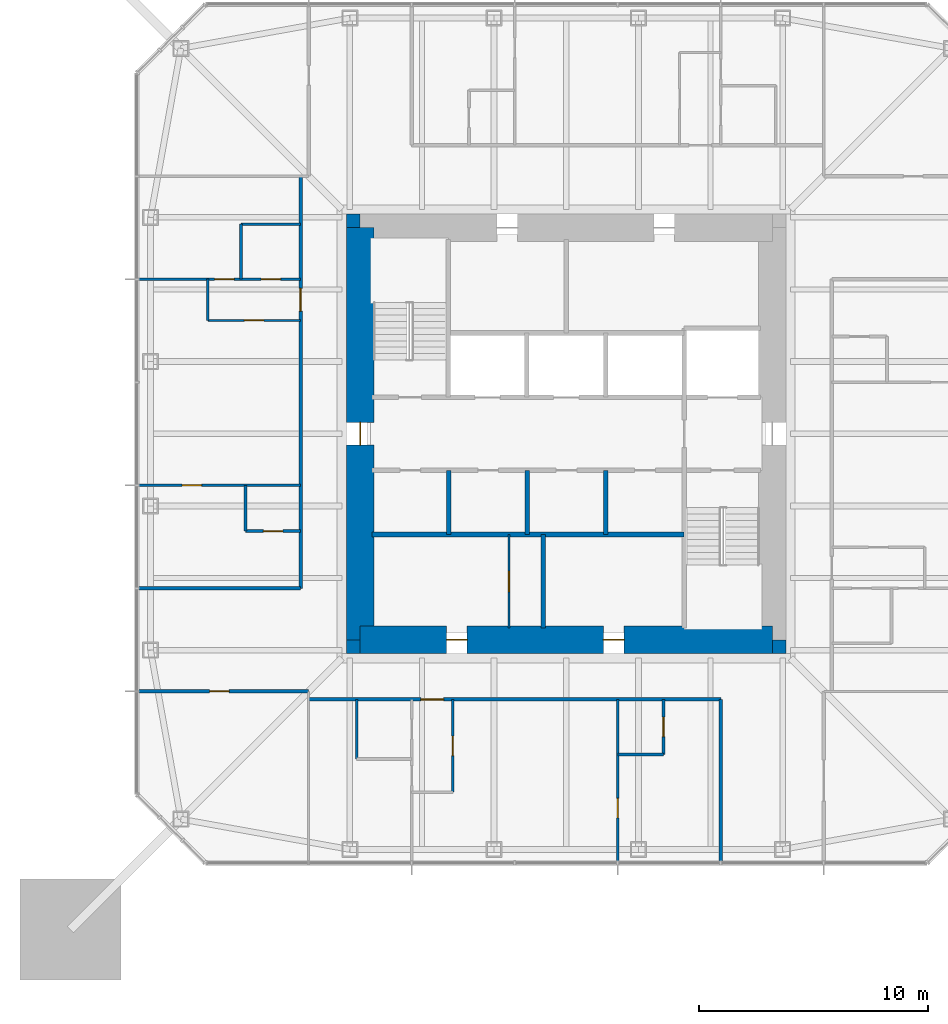
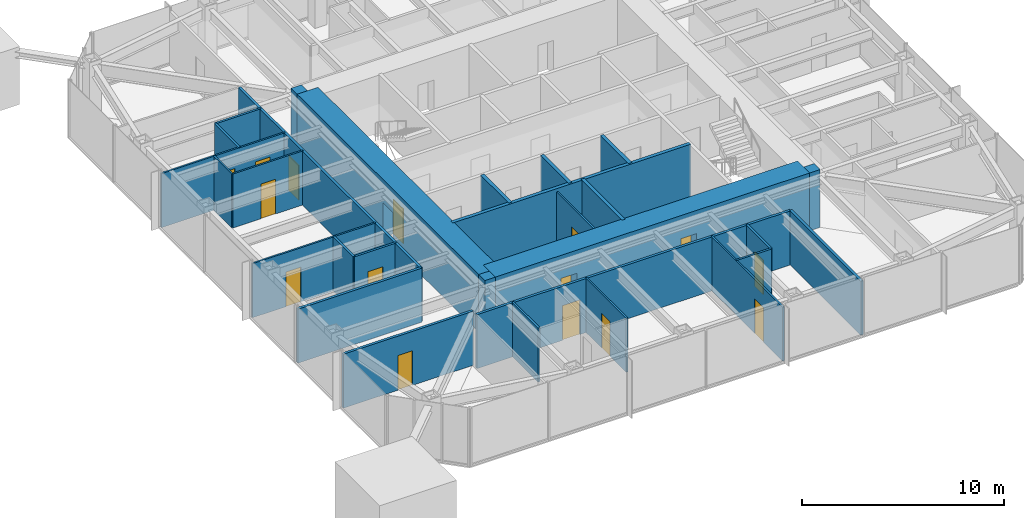
# One storey, part 6 of 11: 29 walls, 15 doors, 15 openings.
"""IFC4 building model written with IfcOpenShell, lengths in metres."""

from ifc_helpers import new_model, si_unit, direction, frame, frame_2d, origin, place, context, subcontext, project, spatial, rectangle, extrude, material, layer, layer_set, type_object, element, fill, save


model = new_model("IFC4")

# Units and contexts
model_context = context("Model", 3, precision=1e-05, world=origin(), true_north=direction((0.0, 1.0)))
body_context = subcontext(model_context, "Body", "Model", "MODEL_VIEW")
ifc_project = project(units=[si_unit("LENGTHUNIT", "METRE"), si_unit("AREAUNIT", "SQUARE_METRE"), si_unit("VOLUMEUNIT", "CUBIC_METRE"), si_unit("PLANEANGLEUNIT", "RADIAN"), si_unit("MASSUNIT", "GRAM", prefix="KILO")], contexts=[model_context])

# Site, building, storey
site_placement = place(None, origin())
site = spatial("IfcSite", under=ifc_project, at=site_placement, CompositionType="ELEMENT")
building_placement = place(site_placement, origin())
building = spatial("IfcBuilding", under=site, at=building_placement, Name="Iwan Alto Co-Living Towers", CompositionType="ELEMENT")
storey_placement = place(building_placement, frame((0.0, 0.0, 177.5)))
storey = spatial("IfcBuildingStorey", under=building, at=storey_placement, Name="L48", CompositionType="ELEMENT", Elevation=177.5)

# Wall, opening, door
ifc_material_1 = material(Name="Gypsum board")
ifc_layer_1 = layer(ifc_material_1, 0.02490234375, Name="Board", Category="Finish")
ifc_material_2 = material(Name="Steel ASTM A1003 ST33H cold-formed studs", Category="steel")
ifc_layer_2 = layer(ifc_material_2, 0.10009765625, Name="Studs", Category="Framing")
ifc_layer_3 = layer(ifc_material_1, 0.02490234375, Name="Board", Category="Finish")
ifc_layer_set_1 = layer_set([ifc_layer_1, ifc_layer_2, ifc_layer_3], Name="CORRIDOR WALL 150")
wall_type_1 = type_object("IfcWallType", Name="CORRIDOR WALL 150", PredefinedType="PARTITIONING", material=ifc_layer_set_1)
wall_1_placement = place(storey_placement, frame((-11.25, -11.60009765625, 0.0), z_axis=(0.0, 0.0, 1.0), x_axis=(1.0, 0.0, 0.0)))
wall_1 = element("IfcWall", 1, at=wall_1_placement, inside=storey, type_object=wall_type_1, Name="Partition L48", PredefinedType="PARTITIONING", context=body_context, shape_type="SweptSolid", body=[
    extrude(rectangle(XDim=18.0, YDim=0.14990234375, at=frame_2d((9.0, 0.0))), origin(), (0.0, 0.0, 1.0), 3.27001953125),
])
opening_1_placement = place(wall_1_placement, frame((4.89990234375, 0.0, 0.0)))
opening_1 = element("IfcOpeningElement", 2, at=opening_1_placement, cuts=wall_1, Name="Opening D3", PredefinedType="OPENING", context=body_context, shape_type="SweptSolid", body=[
    extrude(rectangle(XDim=1.0, YDim=2.10009765625, at=frame_2d((0.5, 1.050048828125))), frame((0.0, 0.0849609375, 0.0), z_axis=(0.0, -1.0, 0.0), x_axis=(1.0, 0.0, 0.0)), (0.0, 0.0, 1.0), 0.169921875),
])
ifc_material_3 = material(Name="Steel frame with timber leaf", Category="steel")
door_type_1 = type_object("IfcDoorType", Name="FLAT ENTRANCE DOOR FD30S 1000X2100", OperationType="SINGLE_SWING_LEFT", PredefinedType="DOOR", material=ifc_material_3)
door_1_placement = place(opening_1_placement, frame((1.0, 0.0, 0.0), z_axis=(0.0, 0.0, 1.0), x_axis=(-1.0, 0.0, 0.0)))
door_1 = element("IfcDoor", 3, at=door_1_placement, inside=storey, type_object=door_type_1, Name="Apartment foyer door L48", OperationType="SINGLE_SWING_RIGHT", OverallHeight=2.10009765625, OverallWidth=1.0, PredefinedType="DOOR", context=body_context, shape_type="SweptSolid", body=[
    extrude(rectangle(XDim=1.0, YDim=2.10009765625, at=frame_2d((0.5, 1.050048828125))), frame((0.0, 0.02490234375, 0.0), z_axis=(0.0, -1.0, 0.0), x_axis=(1.0, 0.0, 0.0)), (0.0, 0.0, 1.0), 0.050048828125),
])
fill(opening_1, door_1)

wall_2_placement = place(storey_placement, frame((-18.68994140625, -11.25, 0.0), z_axis=(0.0, 0.0, 1.0), x_axis=(1.0, 0.0, 0.0)))
wall_2 = element("IfcWall", 4, at=wall_2_placement, inside=storey, type_object=wall_type_1, Name="Partition L48", PredefinedType="PARTITIONING", context=body_context, shape_type="SweptSolid", body=[
    extrude(rectangle(XDim=7.43994140625, YDim=0.14990234375, at=frame_2d((3.719970703125, 0.0))), origin(), (0.0, 0.0, 1.0), 3.27001953125),
])
opening_2_placement = place(wall_2_placement, frame((3.1201171875, 0.0, 0.0)))
opening_2 = element("IfcOpeningElement", 5, at=opening_2_placement, cuts=wall_2, Name="Opening D2", PredefinedType="OPENING", context=body_context, shape_type="SweptSolid", body=[
    extrude(rectangle(XDim=0.85009765625, YDim=2.10009765625, at=frame_2d((0.425048828125, 1.050048828125))), frame((0.0, 0.0849609375, 0.0), z_axis=(0.0, -1.0, 0.0), x_axis=(1.0, 0.0, 0.0)), (0.0, 0.0, 1.0), 0.169921875),
])
ifc_material_4 = material(Name="Timber leaf in steel frame", Category="steel")
door_type_2 = type_object("IfcDoorType", Name="ROOM DOOR 850X2100", OperationType="SINGLE_SWING_LEFT", PredefinedType="DOOR", material=ifc_material_4)
door_2_placement = place(opening_2_placement, frame((0.85009765625, 0.0, 0.0), z_axis=(0.0, 0.0, 1.0), x_axis=(-1.0, 0.0, 0.0)))
door_2 = element("IfcDoor", 6, at=door_2_placement, inside=storey, type_object=door_type_2, Name="Shared kitchen and lounge door L48", OperationType="SINGLE_SWING_RIGHT", OverallHeight=2.10009765625, OverallWidth=0.85009765625, PredefinedType="DOOR", context=body_context, shape_type="SweptSolid", body=[
    extrude(rectangle(XDim=0.85009765625, YDim=2.10009765625, at=frame_2d((0.425048828125, 1.050048828125))), frame((0.0, 0.02490234375, 0.0), z_axis=(0.0, -1.0, 0.0), x_axis=(1.0, 0.0, 0.0)), (0.0, 0.0, 1.0), 0.050048828125),
])
fill(opening_2, door_2)

# Walls
for number, where, z_axis, x_axis, name in (
    (7, (-18.68994140625, -6.75, 0.0), (0.0, 0.0, 1.0), (1.0, 0.0, 0.0), "Partition L48"),
    (8, (6.75, -18.68994140625, 0.0), (0.0, 0.0, 1.0), (0.0, 1.0, 0.0), "Partition L48"),
):
    element("IfcWall", number, at=place(storey_placement, frame(where, z_axis=z_axis, x_axis=x_axis)), inside=storey, type_object=wall_type_1, Name=name, PredefinedType="PARTITIONING", context=body_context, shape_type="SweptSolid", body=[
        extrude(rectangle(XDim=7.08984375, YDim=0.14990234375, at=frame_2d((3.544921875, 0.0))), origin(), (0.0, 0.0, 1.0), 3.27001953125),
    ])

# Wall, opening, door
wall_3_placement = place(storey_placement, frame((-11.60009765625, -6.75, 0.0), z_axis=(0.0, 0.0, 1.0), x_axis=(0.0, 1.0, 0.0)))
wall_3 = element("IfcWall", 9, at=wall_3_placement, inside=storey, type_object=wall_type_1, Name="Partition L48", PredefinedType="PARTITIONING", context=body_context, shape_type="SweptSolid", body=[
    extrude(rectangle(XDim=18.0, YDim=0.14990234375, at=frame_2d((9.0, 0.0))), origin(), (0.0, 0.0, 1.0), 3.27001953125),
])
opening_3_placement = place(wall_3_placement, frame((12.10009765625, 0.0, 0.0)))
opening_3 = element("IfcOpeningElement", 10, at=opening_3_placement, cuts=wall_3, Name="Opening D3", PredefinedType="OPENING", context=body_context, shape_type="SweptSolid", body=[
    extrude(rectangle(XDim=1.0, YDim=2.10009765625, at=frame_2d((0.5, 1.050048828125))), frame((0.0, 0.0849609375, 0.0), z_axis=(0.0, -1.0, 0.0), x_axis=(1.0, 0.0, 0.0)), (0.0, 0.0, 1.0), 0.169921875),
])
door_3_placement = place(opening_3_placement, origin())
door_3 = element("IfcDoor", 11, at=door_3_placement, inside=storey, type_object=door_type_1, Name="Apartment foyer door L48", OperationType="SINGLE_SWING_LEFT", OverallHeight=2.10009765625, OverallWidth=1.0, PredefinedType="DOOR", context=body_context, shape_type="SweptSolid", body=[
    extrude(rectangle(XDim=1.0, YDim=2.10009765625, at=frame_2d((0.5, 1.050048828125))), frame((0.0, 0.02490234375, 0.0), z_axis=(0.0, -1.0, 0.0), x_axis=(1.0, 0.0, 0.0)), (0.0, 0.0, 1.0), 0.050048828125),
])
fill(opening_3, door_3)

ifc_layer_4 = layer(ifc_material_1, 0.012451171875, Name="Board", Category="Finish")
ifc_layer_5 = layer(ifc_material_2, 0.074951171875, Name="Studs", Category="Framing")
ifc_layer_6 = layer(ifc_material_1, 0.012451171875, Name="Board", Category="Finish")
ifc_layer_set_2 = layer_set([ifc_layer_4, ifc_layer_5, ifc_layer_6], Name="PARTITION 100")
wall_type_2 = type_object("IfcWallType", Name="PARTITION 100", PredefinedType="PARTITIONING", material=ifc_layer_set_2)
wall_4_placement = place(storey_placement, frame((-18.68994140625, -2.25, 0.0), z_axis=(0.0, 0.0, 1.0), x_axis=(1.0, 0.0, 0.0)))
wall_4 = element("IfcWall", 12, at=wall_4_placement, inside=storey, type_object=wall_type_2, Name="Partition L48", PredefinedType="PARTITIONING", context=body_context, shape_type="SweptSolid", body=[
    extrude(rectangle(XDim=7.08984375, YDim=0.10009765625, at=frame_2d((3.544921875, 0.0))), origin(), (0.0, 0.0, 1.0), 3.27001953125),
])
opening_4_placement = place(wall_4_placement, frame((1.919921875, 0.0, 0.0)))
opening_4 = element("IfcOpeningElement", 13, at=opening_4_placement, cuts=wall_4, Name="Opening D2", PredefinedType="OPENING", context=body_context, shape_type="SweptSolid", body=[
    extrude(rectangle(XDim=0.85009765625, YDim=2.10009765625, at=frame_2d((0.425048828125, 1.050048828125))), frame((0.0, 0.06005859375, 0.0), z_axis=(0.0, -1.0, 0.0), x_axis=(1.0, 0.0, 0.0)), (0.0, 0.0, 1.0), 0.1201171875),
])
door_4_placement = place(opening_4_placement, origin())
door_4 = element("IfcDoor", 14, at=door_4_placement, inside=storey, type_object=door_type_2, Name="Bedroom door L48", OperationType="SINGLE_SWING_LEFT", OverallHeight=2.10009765625, OverallWidth=0.85009765625, PredefinedType="DOOR", context=body_context, shape_type="SweptSolid", body=[
    extrude(rectangle(XDim=0.85009765625, YDim=2.10009765625, at=frame_2d((0.425048828125, 1.050048828125))), frame((0.0, 0.02490234375, 0.0), z_axis=(0.0, -1.0, 0.0), x_axis=(1.0, 0.0, 0.0)), (0.0, 0.0, 1.0), 0.050048828125),
])
fill(opening_4, door_4)

wall_5_placement = place(storey_placement, frame((-15.64990234375, 4.949951171875, 0.0), z_axis=(0.0, 0.0, 1.0), x_axis=(1.0, 0.0, 0.0)))
wall_5 = element("IfcWall", 15, at=wall_5_placement, inside=storey, type_object=wall_type_2, Name="Partition L48", PredefinedType="PARTITIONING", context=body_context, shape_type="SweptSolid", body=[
    extrude(rectangle(XDim=4.0498046875, YDim=0.10009765625, at=frame_2d((2.02490234375, 0.0))), origin(), (0.0, 0.0, 1.0), 3.27001953125),
])
opening_5_placement = place(wall_5_placement, frame((1.60009765625, 0.0, 0.0)))
opening_5 = element("IfcOpeningElement", 16, at=opening_5_placement, cuts=wall_5, Name="Opening D2", PredefinedType="OPENING", context=body_context, shape_type="SweptSolid", body=[
    extrude(rectangle(XDim=0.85009765625, YDim=2.10009765625, at=frame_2d((0.425048828125, 1.050048828125))), frame((0.0, 0.06005859375, 0.0), z_axis=(0.0, -1.0, 0.0), x_axis=(1.0, 0.0, 0.0)), (0.0, 0.0, 1.0), 0.1201171875),
])
door_5_placement = place(opening_5_placement, frame((0.85009765625, 0.0, 0.0), z_axis=(0.0, 0.0, 1.0), x_axis=(-1.0, 0.0, 0.0)))
door_5 = element("IfcDoor", 17, at=door_5_placement, inside=storey, type_object=door_type_2, Name="Apartment foyer door L48", OperationType="SINGLE_SWING_LEFT", OverallHeight=2.10009765625, OverallWidth=0.85009765625, PredefinedType="DOOR", context=body_context, shape_type="SweptSolid", body=[
    extrude(rectangle(XDim=0.85009765625, YDim=2.10009765625, at=frame_2d((0.425048828125, 1.050048828125))), frame((0.0, 0.02490234375, 0.0), z_axis=(0.0, -1.0, 0.0), x_axis=(1.0, 0.0, 0.0)), (0.0, 0.0, 1.0), 0.050048828125),
])
fill(opening_5, door_5)

# Wall, openings, doors
wall_6_placement = place(storey_placement, frame((-18.68994140625, 6.75, 0.0), z_axis=(0.0, 0.0, 1.0), x_axis=(1.0, 0.0, 0.0)))
wall_6 = element("IfcWall", 18, at=wall_6_placement, inside=storey, type_object=wall_type_2, Name="Partition L48", PredefinedType="PARTITIONING", context=body_context, shape_type="SweptSolid", body=[
    extrude(rectangle(XDim=7.08984375, YDim=0.10009765625, at=frame_2d((3.544921875, 0.0))), origin(), (0.0, 0.0, 1.0), 3.27001953125),
])
opening_6_placement = place(wall_6_placement, frame((3.340087890625, 0.0, 0.0)))
opening_6 = element("IfcOpeningElement", 19, at=opening_6_placement, cuts=wall_6, Name="Opening D2", PredefinedType="OPENING", context=body_context, shape_type="SweptSolid", body=[
    extrude(rectangle(XDim=0.85009765625, YDim=2.10009765625, at=frame_2d((0.425048828125, 1.050048828125))), frame((0.0, 0.06005859375, 0.0), z_axis=(0.0, -1.0, 0.0), x_axis=(1.0, 0.0, 0.0)), (0.0, 0.0, 1.0), 0.1201171875),
])
opening_7_placement = place(wall_6_placement, frame((5.364990234375, 0.0, 0.0)))
opening_7 = element("IfcOpeningElement", 20, at=opening_7_placement, cuts=wall_6, Name="Opening D2", PredefinedType="OPENING", context=body_context, shape_type="SweptSolid", body=[
    extrude(rectangle(XDim=0.85009765625, YDim=2.10009765625, at=frame_2d((0.425048828125, 1.050048828125))), frame((0.0, 0.06005859375, 0.0), z_axis=(0.0, -1.0, 0.0), x_axis=(1.0, 0.0, 0.0)), (0.0, 0.0, 1.0), 0.1201171875),
])
door_6_placement = place(opening_6_placement, origin())
door_6 = element("IfcDoor", 21, at=door_6_placement, inside=storey, type_object=door_type_2, Name="Bedroom door L48", OperationType="SINGLE_SWING_RIGHT", OverallHeight=2.10009765625, OverallWidth=0.85009765625, PredefinedType="DOOR", context=body_context, shape_type="SweptSolid", body=[
    extrude(rectangle(XDim=0.85009765625, YDim=2.10009765625, at=frame_2d((0.425048828125, 1.050048828125))), frame((0.0, 0.02490234375, 0.0), z_axis=(0.0, -1.0, 0.0), x_axis=(1.0, 0.0, 0.0)), (0.0, 0.0, 1.0), 0.050048828125),
])
fill(opening_6, door_6)
door_7_placement = place(opening_7_placement, origin())
door_7 = element("IfcDoor", 22, at=door_7_placement, inside=storey, type_object=door_type_2, Name="Bathroom door L48", OperationType="SINGLE_SWING_LEFT", OverallHeight=2.10009765625, OverallWidth=0.85009765625, PredefinedType="DOOR", context=body_context, shape_type="SweptSolid", body=[
    extrude(rectangle(XDim=0.85009765625, YDim=2.10009765625, at=frame_2d((0.425048828125, 1.050048828125))), frame((0.0, 0.02490234375, 0.0), z_axis=(0.0, -1.0, 0.0), x_axis=(1.0, 0.0, 0.0)), (0.0, 0.0, 1.0), 0.050048828125),
])
fill(opening_7, door_7)

# Wall, opening, door
wall_7_placement = place(storey_placement, frame((2.25, -18.68994140625, 0.0), z_axis=(0.0, 0.0, 1.0), x_axis=(0.0, 1.0, 0.0)))
wall_7 = element("IfcWall", 23, at=wall_7_placement, inside=storey, type_object=wall_type_2, Name="Partition L48", PredefinedType="PARTITIONING", context=body_context, shape_type="SweptSolid", body=[
    extrude(rectangle(XDim=7.08984375, YDim=0.10009765625, at=frame_2d((3.544921875, 0.0))), origin(), (0.0, 0.0, 1.0), 3.27001953125),
])
opening_8_placement = place(wall_7_placement, frame((1.919921875, 0.0, 0.0)))
opening_8 = element("IfcOpeningElement", 24, at=opening_8_placement, cuts=wall_7, Name="Opening D2", PredefinedType="OPENING", context=body_context, shape_type="SweptSolid", body=[
    extrude(rectangle(XDim=0.85009765625, YDim=2.10009765625, at=frame_2d((0.425048828125, 1.050048828125))), frame((0.0, 0.06005859375, 0.0), z_axis=(0.0, -1.0, 0.0), x_axis=(1.0, 0.0, 0.0)), (0.0, 0.0, 1.0), 0.1201171875),
])
door_8_placement = place(opening_8_placement, origin())
door_8 = element("IfcDoor", 25, at=door_8_placement, inside=storey, type_object=door_type_2, Name="Bedroom door L48", OperationType="SINGLE_SWING_LEFT", OverallHeight=2.10009765625, OverallWidth=0.85009765625, PredefinedType="DOOR", context=body_context, shape_type="SweptSolid", body=[
    extrude(rectangle(XDim=0.85009765625, YDim=2.10009765625, at=frame_2d((0.425048828125, 1.050048828125))), frame((0.0, 0.02490234375, 0.0), z_axis=(0.0, -1.0, 0.0), x_axis=(1.0, 0.0, 0.0)), (0.0, 0.0, 1.0), 0.050048828125),
])
fill(opening_8, door_8)

wall_8_placement = place(storey_placement, frame((-2.5, -8.489990234375, 0.0), z_axis=(0.0, 0.0, 1.0), x_axis=(0.0, 1.0, 0.0)))
wall_8 = element("IfcWall", 26, at=wall_8_placement, inside=storey, type_object=wall_type_2, Name="Partition L48", PredefinedType="PARTITIONING", context=body_context, shape_type="SweptSolid", body=[
    extrude(rectangle(XDim=4.090087890625, YDim=0.10009765625, at=frame_2d((2.044921875, 0.0))), origin(), (0.0, 0.0, 1.0), 3.300048828125),
])
opening_9_placement = place(wall_8_placement, frame((1.594970703125, 0.0, 0.0)))
opening_9 = element("IfcOpeningElement", 27, at=opening_9_placement, cuts=wall_8, Name="Opening D16", PredefinedType="OPENING", context=body_context, shape_type="SweptSolid", body=[
    extrude(rectangle(XDim=0.89990234375, YDim=2.10009765625, at=frame_2d((0.449951171875, 1.050048828125))), frame((0.0, 0.06005859375, 0.0), z_axis=(0.0, -1.0, 0.0), x_axis=(1.0, 0.0, 0.0)), (0.0, 0.0, 1.0), 0.1201171875),
])
ifc_material_5 = material(Name="Timber leaf in steel frame", Category="steel")
door_type_3 = type_object("IfcDoorType", Name="CUPBOARD SLIDING DOOR 900X2100", OperationType="SLIDING_TO_LEFT", PredefinedType="DOOR", material=ifc_material_5)
door_9_placement = place(opening_9_placement, origin())
door_9 = element("IfcDoor", 28, at=door_9_placement, inside=storey, type_object=door_type_3, Name="Cleaner's store door L48", OperationType="SLIDING_TO_LEFT", OverallHeight=2.10009765625, OverallWidth=0.89990234375, PredefinedType="DOOR", context=body_context, shape_type="SweptSolid", body=[
    extrude(rectangle(XDim=0.89990234375, YDim=2.10009765625, at=frame_2d((0.449951171875, 1.050048828125))), frame((0.0, 0.02490234375, 0.0), z_axis=(0.0, -1.0, 0.0), x_axis=(1.0, 0.0, 0.0)), (0.0, 0.0, 1.0), 0.050048828125),
])
fill(opening_9, door_9)

wall_9_placement = place(storey_placement, frame((-4.949951171875, -15.64990234375, 0.0), z_axis=(0.0, 0.0, 1.0), x_axis=(0.0, 1.0, 0.0)))
wall_9 = element("IfcWall", 29, at=wall_9_placement, inside=storey, type_object=wall_type_2, Name="Partition L48", PredefinedType="PARTITIONING", context=body_context, shape_type="SweptSolid", body=[
    extrude(rectangle(XDim=4.0498046875, YDim=0.10009765625, at=frame_2d((2.02490234375, 0.0))), origin(), (0.0, 0.0, 1.0), 3.27001953125),
])
opening_10_placement = place(wall_9_placement, frame((1.60009765625, 0.0, 0.0)))
opening_10 = element("IfcOpeningElement", 30, at=opening_10_placement, cuts=wall_9, Name="Opening D2", PredefinedType="OPENING", context=body_context, shape_type="SweptSolid", body=[
    extrude(rectangle(XDim=0.85009765625, YDim=2.10009765625, at=frame_2d((0.425048828125, 1.050048828125))), frame((0.0, 0.06005859375, 0.0), z_axis=(0.0, -1.0, 0.0), x_axis=(1.0, 0.0, 0.0)), (0.0, 0.0, 1.0), 0.1201171875),
])
door_10_placement = place(opening_10_placement, frame((0.85009765625, 0.0, 0.0), z_axis=(0.0, 0.0, 1.0), x_axis=(-1.0, 0.0, 0.0)))
door_10 = element("IfcDoor", 31, at=door_10_placement, inside=storey, type_object=door_type_2, Name="Apartment foyer door L48", OperationType="SINGLE_SWING_LEFT", OverallHeight=2.10009765625, OverallWidth=0.85009765625, PredefinedType="DOOR", context=body_context, shape_type="SweptSolid", body=[
    extrude(rectangle(XDim=0.85009765625, YDim=2.10009765625, at=frame_2d((0.425048828125, 1.050048828125))), frame((0.0, 0.02490234375, 0.0), z_axis=(0.0, -1.0, 0.0), x_axis=(1.0, 0.0, 0.0)), (0.0, 0.0, 1.0), 0.050048828125),
])
fill(opening_10, door_10)

# Walls
wall_10_placement = place(storey_placement, frame((-15.64990234375, 4.949951171875, 0.0), z_axis=(0.0, 0.0, 1.0), x_axis=(0.0, 1.0, 0.0)))
element("IfcWall", 32, at=wall_10_placement, inside=storey, type_object=wall_type_2, Name="Partition L48", PredefinedType="PARTITIONING", context=body_context, shape_type="SweptSolid", body=[
    extrude(rectangle(XDim=1.800048828125, YDim=0.10009765625, at=frame_2d((0.89990234375, 0.0))), origin(), (0.0, 0.0, 1.0), 3.27001953125),
])
ifc_material_6 = material(Name="Concrete f'c 70 MPa", Category="concrete")
ifc_layer_7 = layer(ifc_material_6, 0.199951171875)
ifc_layer_set_3 = layer_set([ifc_layer_7], Name="SHAFT WALL 200")
wall_type_3 = type_object("IfcWallType", Name="SHAFT WALL 200", PredefinedType="SOLIDWALL", material=ifc_layer_set_3)
wall_11_placement = place(storey_placement, frame((-8.489990234375, -4.39990234375, 0.0), z_axis=(0.0, 0.0, 1.0), x_axis=(1.0, 0.0, 0.0)))
element("IfcWall", 33, at=wall_11_placement, inside=storey, type_object=wall_type_3, Name="Shaft wall L48", PredefinedType="SOLIDWALL", context=body_context, shape_type="SweptSolid", body=[
    extrude(rectangle(XDim=13.639892578125, YDim=0.199951171875, at=frame_2d((6.81982421875, 0.0))), origin(), (0.0, 0.0, 1.0), 3.5),
])
wall_12_placement = place(storey_placement, frame((1.72509765625, -4.39990234375, 0.0), z_axis=(0.0, 0.0, 1.0), x_axis=(0.0, 1.0, 0.0)))
element("IfcWall", 34, at=wall_12_placement, inside=storey, type_object=wall_type_3, Name="Shaft wall L48", PredefinedType="SOLIDWALL", context=body_context, shape_type="SweptSolid", body=[
    extrude(rectangle(XDim=2.7998046875, YDim=0.199951171875, at=frame_2d((1.39990234375, 0.0))), origin(), (0.0, 0.0, 1.0), 3.5),
])
wall_13_placement = place(storey_placement, frame((-1.0, -8.489990234375, 0.0), z_axis=(0.0, 0.0, 1.0), x_axis=(0.0, 1.0, 0.0)))
element("IfcWall", 35, at=wall_13_placement, inside=storey, type_object=wall_type_3, Name="Shaft wall L48", PredefinedType="SOLIDWALL", context=body_context, shape_type="SweptSolid", body=[
    extrude(rectangle(XDim=4.090087890625, YDim=0.199951171875, at=frame_2d((2.044921875, 0.0))), origin(), (0.0, 0.0, 1.0), 3.5),
])
for number, where, z_axis, x_axis, name in (
    (36, (-1.699951171875, -4.39990234375, 0.0), (0.0, 0.0, 1.0), (0.0, 1.0, 0.0), "Shaft wall L48"),
    (37, (-5.125, -4.39990234375, 0.0), (0.0, 0.0, 1.0), (0.0, 1.0, 0.0), "Shaft wall L48"),
):
    element("IfcWall", number, at=place(storey_placement, frame(where, z_axis=z_axis, x_axis=x_axis)), inside=storey, type_object=wall_type_3, Name=name, PredefinedType="SOLIDWALL", context=body_context, shape_type="SweptSolid", body=[
        extrude(rectangle(XDim=2.7998046875, YDim=0.199951171875, at=frame_2d((1.39990234375, 0.0))), origin(), (0.0, 0.0, 1.0), 3.5),
    ])
ifc_material_7 = material(Name="Concrete f'c 70 MPa", Category="concrete")
ifc_layer_8 = layer(ifc_material_7, 0.60009765625)
ifc_layer_set_4 = layer_set([ifc_layer_8], Name="T1 CORE CORNER FILL 600")
wall_type_4 = type_object("IfcWallType", Name="T1 CORE CORNER FILL 600", PredefinedType="SOLIDWALL", material=ifc_layer_set_4)
for number, where, z_axis, x_axis, name in (
    (38, (-9.60009765625, -9.300048828125, 0.0), (0.0, 0.0, 1.0), (1.0, 0.0, 0.0), "T1 core corner SW L48"),
    (39, (9.0, -9.300048828125, 0.0), (0.0, 0.0, 1.0), (1.0, 0.0, 0.0), "T1 core corner SE L48"),
    (40, (-9.60009765625, 9.300048828125, 0.0), (0.0, 0.0, 1.0), (1.0, 0.0, 0.0), "T1 core corner NW L48"),
):
    element("IfcWall", number, at=place(storey_placement, frame(where, z_axis=z_axis, x_axis=x_axis)), inside=storey, type_object=wall_type_4, Name=name, PredefinedType="SOLIDWALL", context=body_context, shape_type="SweptSolid", body=[
        extrude(rectangle(XDim=0.60009765625, YDim=0.60009765625, at=frame_2d((0.300048828125, 0.0))), origin(), (0.0, 0.0, 1.0), 3.5),
    ])

# Wall, openings, doors
ifc_material_8 = material(Name="Concrete f'c 70 MPa", Category="concrete")
ifc_layer_9 = layer(ifc_material_8, 1.199951171875)
ifc_layer_set_5 = layer_set([ifc_layer_9], Name="T1 CORE WALL 1200")
wall_type_5 = type_object("IfcWallType", Name="T1 CORE WALL 1200", PredefinedType="SHEAR", material=ifc_layer_set_5)
wall_14_placement = place(storey_placement, frame((-9.0, -9.0, 0.0), z_axis=(0.0, 0.0, 1.0), x_axis=(1.0, 0.0, 0.0)))
wall_14 = element("IfcWall", 41, at=wall_14_placement, inside=storey, type_object=wall_type_5, Name="T1 core wall S L48", PredefinedType="SHEAR", context=body_context, shape_type="SweptSolid", body=[
    extrude(rectangle(XDim=18.0, YDim=1.199951171875, at=frame_2d((9.0, 0.0))), origin(), (0.0, 0.0, 1.0), 3.5),
])
opening_11_placement = place(wall_14_placement, frame((3.77490234375, 0.0, 0.0)))
opening_11 = element("IfcOpeningElement", 42, at=opening_11_placement, cuts=wall_14, Name="Opening D8", PredefinedType="OPENING", context=body_context, shape_type="SweptSolid", body=[
    extrude(rectangle(XDim=0.89990234375, YDim=2.10009765625, at=frame_2d((0.449951171875, 1.050048828125))), frame((0.0, 0.60986328125, 0.0), z_axis=(0.0, -1.0, 0.0), x_axis=(1.0, 0.0, 0.0)), (0.0, 0.0, 1.0), 1.219970703125),
])
opening_12_placement = place(wall_14_placement, frame((10.625, 0.0, 0.0)))
opening_12 = element("IfcOpeningElement", 43, at=opening_12_placement, cuts=wall_14, Name="Opening D8", PredefinedType="OPENING", context=body_context, shape_type="SweptSolid", body=[
    extrude(rectangle(XDim=0.89990234375, YDim=2.10009765625, at=frame_2d((0.449951171875, 1.050048828125))), frame((0.0, 0.60986328125, 0.0), z_axis=(0.0, -1.0, 0.0), x_axis=(1.0, 0.0, 0.0)), (0.0, 0.0, 1.0), 1.219970703125),
])
ifc_material_9 = material(Name="Steel frame with timber leaf", Category="steel")
door_type_4 = type_object("IfcDoorType", Name="RISER DOOR FD120 900X2100", OperationType="SINGLE_SWING_LEFT", PredefinedType="DOOR", material=ifc_material_9)
door_11_placement = place(opening_11_placement, origin())
door_11 = element("IfcDoor", 44, at=door_11_placement, inside=storey, type_object=door_type_4, Name="Refuse room core door L48", OperationType="SINGLE_SWING_RIGHT", OverallHeight=2.10009765625, OverallWidth=0.89990234375, PredefinedType="DOOR", context=body_context, shape_type="SweptSolid", body=[
    extrude(rectangle(XDim=0.89990234375, YDim=2.10009765625, at=frame_2d((0.449951171875, 1.050048828125))), frame((0.0, 0.02490234375, 0.0), z_axis=(0.0, -1.0, 0.0), x_axis=(1.0, 0.0, 0.0)), (0.0, 0.0, 1.0), 0.050048828125),
])
fill(opening_11, door_11)
door_12_placement = place(opening_12_placement, origin())
door_12 = element("IfcDoor", 45, at=door_12_placement, inside=storey, type_object=door_type_4, Name="Telecom riser core door L48", OperationType="SINGLE_SWING_LEFT", OverallHeight=2.10009765625, OverallWidth=0.89990234375, PredefinedType="DOOR", context=body_context, shape_type="SweptSolid", body=[
    extrude(rectangle(XDim=0.89990234375, YDim=2.10009765625, at=frame_2d((0.449951171875, 1.050048828125))), frame((0.0, 0.02490234375, 0.0), z_axis=(0.0, -1.0, 0.0), x_axis=(1.0, 0.0, 0.0)), (0.0, 0.0, 1.0), 0.050048828125),
])
fill(opening_12, door_12)

# Wall, opening, door
wall_15_placement = place(storey_placement, frame((-9.0, 9.0, 0.0), z_axis=(0.0, 0.0, 1.0), x_axis=(0.0, -1.0, 0.0)))
wall_15 = element("IfcWall", 46, at=wall_15_placement, inside=storey, type_object=wall_type_5, Name="T1 core wall W L48", PredefinedType="SHEAR", context=body_context, shape_type="SweptSolid", body=[
    extrude(rectangle(XDim=18.0, YDim=1.199951171875, at=frame_2d((9.0, 0.0))), origin(), (0.0, 0.0, 1.0), 3.5),
])
opening_13_placement = place(wall_15_placement, frame((8.5, 0.0, 0.0)))
opening_13 = element("IfcOpeningElement", 47, at=opening_13_placement, cuts=wall_15, Name="Opening D7", PredefinedType="OPENING", context=body_context, shape_type="SweptSolid", body=[
    extrude(rectangle(XDim=1.0, YDim=2.10009765625, at=frame_2d((0.5, 1.050048828125))), frame((0.0, 0.60986328125, 0.0), z_axis=(0.0, -1.0, 0.0), x_axis=(1.0, 0.0, 0.0)), (0.0, 0.0, 1.0), 1.219970703125),
])
ifc_material_10 = material(Name="Steel frame with timber leaf", Category="steel")
door_type_5 = type_object("IfcDoorType", Name="CORE DOOR FD120S 1000X2100", OperationType="SINGLE_SWING_LEFT", PredefinedType="DOOR", material=ifc_material_10)
door_13_placement = place(opening_13_placement, origin())
door_13 = element("IfcDoor", 48, at=door_13_placement, inside=storey, type_object=door_type_5, Name="Lift lobby core door L48", OperationType="SINGLE_SWING_RIGHT", OverallHeight=2.10009765625, OverallWidth=1.0, PredefinedType="DOOR", context=body_context, shape_type="SweptSolid", body=[
    extrude(rectangle(XDim=1.0, YDim=2.10009765625, at=frame_2d((0.5, 1.050048828125))), frame((0.0, 0.02490234375, 0.0), z_axis=(0.0, -1.0, 0.0), x_axis=(1.0, 0.0, 0.0)), (0.0, 0.0, 1.0), 0.050048828125),
])
fill(opening_13, door_13)

# Wall
ifc_material_11 = material(Name="Cement board")
ifc_layer_10 = layer(ifc_material_11, 0.012451171875, Name="Board", Category="Finish")
ifc_layer_11 = layer(ifc_material_2, 0.094970703125, Name="Studs", Category="Framing")
ifc_layer_12 = layer(ifc_material_11, 0.012451171875, Name="Board", Category="Finish")
ifc_layer_set_6 = layer_set([ifc_layer_10, ifc_layer_11, ifc_layer_12], Name="WET AREA PARTITION 120")
wall_type_6 = type_object("IfcWallType", Name="WET AREA PARTITION 120", PredefinedType="PARTITIONING", material=ifc_layer_set_6)
wall_16_placement = place(storey_placement, frame((2.25, -14.0, 0.0), z_axis=(0.0, 0.0, 1.0), x_axis=(1.0, 0.0, 0.0)))
element("IfcWall", 49, at=wall_16_placement, inside=storey, type_object=wall_type_6, Name="Partition L48", PredefinedType="PARTITIONING", context=body_context, shape_type="SweptSolid", body=[
    extrude(rectangle(XDim=2.0, YDim=0.1201171875, at=frame_2d((1.0, 0.0))), origin(), (0.0, 0.0, 1.0), 3.27001953125),
])

# Wall, opening, door
wall_17_placement = place(storey_placement, frame((-14.0, -4.25, 0.0), z_axis=(0.0, 0.0, 1.0), x_axis=(1.0, 0.0, 0.0)))
wall_17 = element("IfcWall", 50, at=wall_17_placement, inside=storey, type_object=wall_type_6, Name="Partition L48", PredefinedType="PARTITIONING", context=body_context, shape_type="SweptSolid", body=[
    extrude(rectangle(XDim=2.39990234375, YDim=0.1201171875, at=frame_2d((1.199951171875, 0.0))), origin(), (0.0, 0.0, 1.0), 3.27001953125),
])
opening_14_placement = place(wall_17_placement, frame((0.77490234375, 0.0, 0.0)))
opening_14 = element("IfcOpeningElement", 51, at=opening_14_placement, cuts=wall_17, Name="Opening D2", PredefinedType="OPENING", context=body_context, shape_type="SweptSolid", body=[
    extrude(rectangle(XDim=0.85009765625, YDim=2.10009765625, at=frame_2d((0.425048828125, 1.050048828125))), frame((0.0, 0.070068359375, 0.0), z_axis=(0.0, -1.0, 0.0), x_axis=(1.0, 0.0, 0.0)), (0.0, 0.0, 1.0), 0.14013671875),
])
door_14_placement = place(opening_14_placement, frame((0.85009765625, 0.0, 0.0), z_axis=(0.0, 0.0, 1.0), x_axis=(-1.0, 0.0, 0.0)))
door_14 = element("IfcDoor", 52, at=door_14_placement, inside=storey, type_object=door_type_2, Name="En-suite shower room door L48", OperationType="SINGLE_SWING_LEFT", OverallHeight=2.10009765625, OverallWidth=0.85009765625, PredefinedType="DOOR", context=body_context, shape_type="SweptSolid", body=[
    extrude(rectangle(XDim=0.85009765625, YDim=2.10009765625, at=frame_2d((0.425048828125, 1.050048828125))), frame((0.0, 0.02490234375, 0.0), z_axis=(0.0, -1.0, 0.0), x_axis=(1.0, 0.0, 0.0)), (0.0, 0.0, 1.0), 0.050048828125),
])
fill(opening_14, door_14)

# Wall
wall_18_placement = place(storey_placement, frame((-14.199951171875, 9.14990234375, 0.0), z_axis=(0.0, 0.0, 1.0), x_axis=(1.0, 0.0, 0.0)))
element("IfcWall", 53, at=wall_18_placement, inside=storey, type_object=wall_type_6, Name="Partition L48", PredefinedType="PARTITIONING", context=body_context, shape_type="SweptSolid", body=[
    extrude(rectangle(XDim=2.599853515625, YDim=0.1201171875, at=frame_2d((1.2998046875, 0.0))), origin(), (0.0, 0.0, 1.0), 3.27001953125),
])

# Wall, opening, door
wall_19_placement = place(storey_placement, frame((4.25, -14.0, 0.0), z_axis=(0.0, 0.0, 1.0), x_axis=(0.0, 1.0, 0.0)))
wall_19 = element("IfcWall", 54, at=wall_19_placement, inside=storey, type_object=wall_type_6, Name="Partition L48", PredefinedType="PARTITIONING", context=body_context, shape_type="SweptSolid", body=[
    extrude(rectangle(XDim=2.39990234375, YDim=0.1201171875, at=frame_2d((1.199951171875, 0.0))), origin(), (0.0, 0.0, 1.0), 3.27001953125),
])
opening_15_placement = place(wall_19_placement, frame((0.77490234375, 0.0, 0.0)))
opening_15 = element("IfcOpeningElement", 55, at=opening_15_placement, cuts=wall_19, Name="Opening D2", PredefinedType="OPENING", context=body_context, shape_type="SweptSolid", body=[
    extrude(rectangle(XDim=0.85009765625, YDim=2.10009765625, at=frame_2d((0.425048828125, 1.050048828125))), frame((0.0, 0.070068359375, 0.0), z_axis=(0.0, -1.0, 0.0), x_axis=(1.0, 0.0, 0.0)), (0.0, 0.0, 1.0), 0.14013671875),
])
door_15_placement = place(opening_15_placement, frame((0.85009765625, 0.0, 0.0), z_axis=(0.0, 0.0, 1.0), x_axis=(-1.0, 0.0, 0.0)))
door_15 = element("IfcDoor", 56, at=door_15_placement, inside=storey, type_object=door_type_2, Name="En-suite shower room door L48", OperationType="SINGLE_SWING_LEFT", OverallHeight=2.10009765625, OverallWidth=0.85009765625, PredefinedType="DOOR", context=body_context, shape_type="SweptSolid", body=[
    extrude(rectangle(XDim=0.85009765625, YDim=2.10009765625, at=frame_2d((0.425048828125, 1.050048828125))), frame((0.0, 0.02490234375, 0.0), z_axis=(0.0, -1.0, 0.0), x_axis=(1.0, 0.0, 0.0)), (0.0, 0.0, 1.0), 0.050048828125),
])
fill(opening_15, door_15)

# Walls
wall_20_placement = place(storey_placement, frame((-9.14990234375, -14.199951171875, 0.0), z_axis=(0.0, 0.0, 1.0), x_axis=(0.0, 1.0, 0.0)))
element("IfcWall", 57, at=wall_20_placement, inside=storey, type_object=wall_type_6, Name="Partition L48", PredefinedType="PARTITIONING", context=body_context, shape_type="SweptSolid", body=[
    extrude(rectangle(XDim=2.599853515625, YDim=0.1201171875, at=frame_2d((1.2998046875, 0.0))), origin(), (0.0, 0.0, 1.0), 3.27001953125),
])
wall_21_placement = place(storey_placement, frame((-14.0, -4.25, 0.0), z_axis=(0.0, 0.0, 1.0), x_axis=(0.0, 1.0, 0.0)))
element("IfcWall", 58, at=wall_21_placement, inside=storey, type_object=wall_type_6, Name="Partition L48", PredefinedType="PARTITIONING", context=body_context, shape_type="SweptSolid", body=[
    extrude(rectangle(XDim=2.0, YDim=0.1201171875, at=frame_2d((1.0, 0.0))), origin(), (0.0, 0.0, 1.0), 3.27001953125),
])
wall_22_placement = place(storey_placement, frame((-14.199951171875, 6.75, 0.0), z_axis=(0.0, 0.0, 1.0), x_axis=(0.0, 1.0, 0.0)))
element("IfcWall", 59, at=wall_22_placement, inside=storey, type_object=wall_type_6, Name="Partition L48", PredefinedType="PARTITIONING", context=body_context, shape_type="SweptSolid", body=[
    extrude(rectangle(XDim=2.39990234375, YDim=0.1201171875, at=frame_2d((1.199951171875, 0.0))), origin(), (0.0, 0.0, 1.0), 3.27001953125),
])

save(model, "model.ifc")
